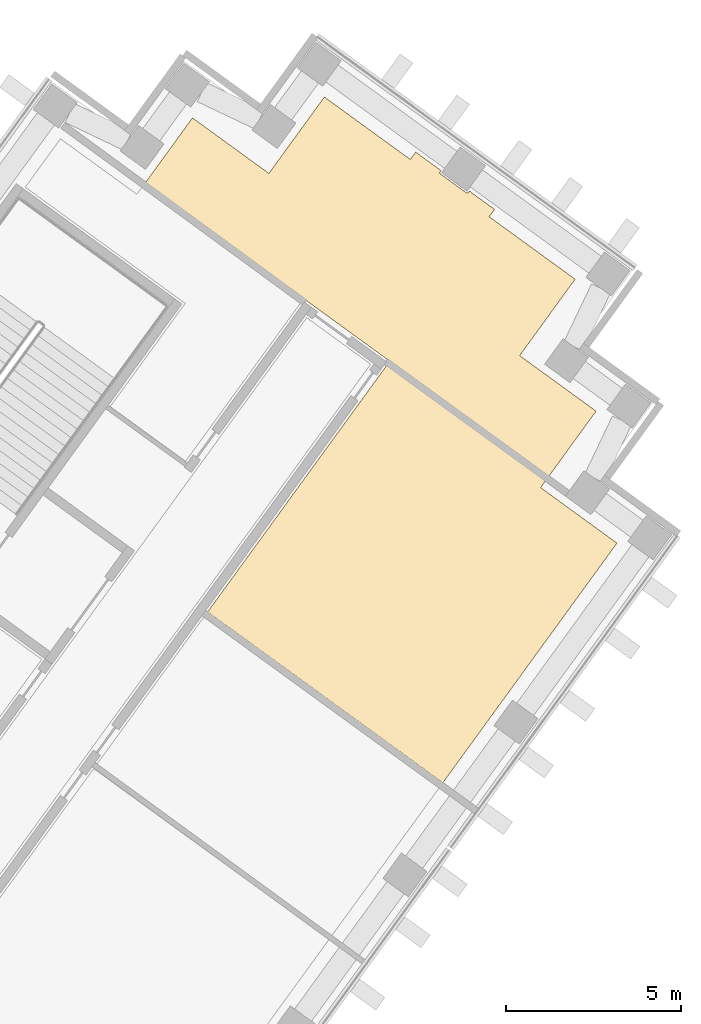
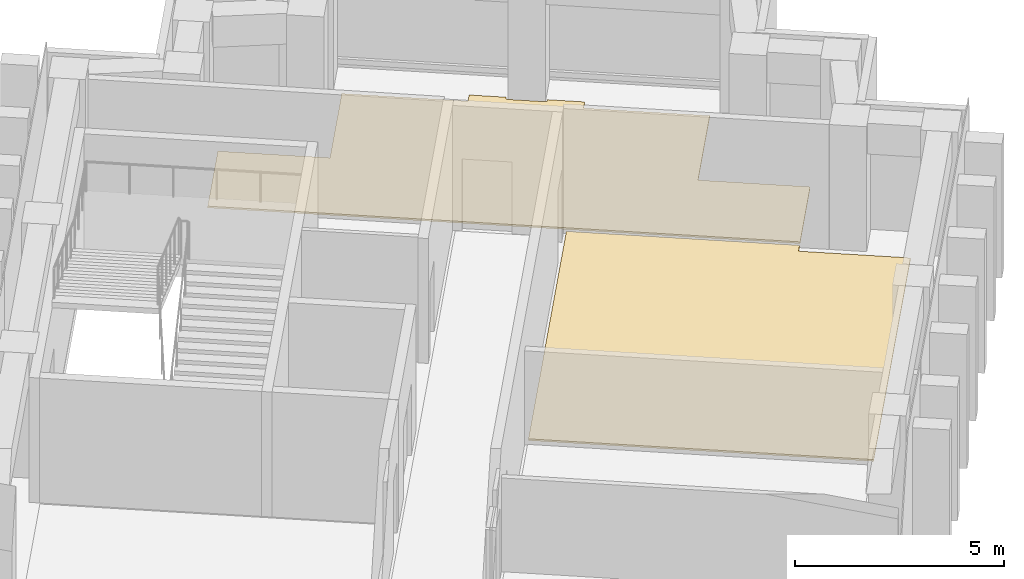
# One storey, part 17 of 17: 2 coverings.
"""IFC4 building model written with IfcOpenShell, lengths in metres."""

from ifc_helpers import new_model, si_unit, direction, frame, origin, place, context, subcontext, project, spatial, polyline, outline, extrude, material, layer, layer_set, type_object, element, save


model = new_model("IFC4")

# Units and contexts
model_context = context("Model", 3, precision=1e-05, world=origin(), true_north=direction((0.0, 1.0)))
body_context = subcontext(model_context, "Body", "Model", "MODEL_VIEW")
ifc_project = project(units=[si_unit("LENGTHUNIT", "METRE"), si_unit("AREAUNIT", "SQUARE_METRE"), si_unit("VOLUMEUNIT", "CUBIC_METRE"), si_unit("PLANEANGLEUNIT", "RADIAN"), si_unit("MASSUNIT", "GRAM", prefix="KILO")], contexts=[model_context])

# Site, building, storey
site_placement = place(None, origin())
site = spatial("IfcSite", under=ifc_project, at=site_placement, CompositionType="ELEMENT")
building_placement = place(site_placement, origin())
building = spatial("IfcBuilding", under=site, at=building_placement, Name="Quipu Civic Tower", CompositionType="ELEMENT")
storey_placement = place(building_placement, frame((0.0, 0.0, 43.0)))
storey = spatial("IfcBuildingStorey", under=building, at=storey_placement, Name="L09", CompositionType="ELEMENT", Elevation=43.0)

# Coverings
ifc_material = material(Name="Sealed cement screed")
ifc_layer = layer(ifc_material, 0.050048828125)
ifc_layer_set = layer_set([ifc_layer], Name="Sealed cement screed")
covering_type = type_object("IfcCoveringType", Name="Sealed screed floor finish 50", PredefinedType="FLOORING", material=ifc_layer_set)
covering_1_placement = place(storey_placement, origin())
element("IfcCovering", 1, at=covering_1_placement, inside=storey, type_object=covering_type, Name="Sealed screed floor finish 50", PredefinedType="FLOORING", context=body_context, shape_type="SweptSolid", body=[
    extrude(outline(polyline([(39.989013671875, 39.64208984375), (41.346923828125, 41.510986328125), (43.531982421875, 39.925048828125), (45.116943359375, 42.10791015625), (47.574951171875, 40.322021484375), (47.72900390625, 40.531982421875), (48.449951171875, 40.008056640625), (48.427001953125, 39.97705078125), (48.424072265625, 39.972900390625), (48.422119140625, 39.968017578125), (48.419921875, 39.964111328125), (48.4189453125, 39.958984375), (48.41796875, 39.9541015625), (48.4169921875, 39.948974609375), (48.4169921875, 39.944091796875), (48.41796875, 39.93994140625), (48.4189453125, 39.93505859375), (48.419921875, 39.929931640625), (48.422119140625, 39.926025390625), (48.425048828125, 39.9208984375), (48.427001953125, 39.9169921875), (48.430908203125, 39.9130859375), (48.43408203125, 39.909912109375), (48.43798828125, 39.906982421875), (49.166015625, 39.3779296875), (49.169921875, 39.375), (49.174072265625, 39.373046875), (49.178955078125, 39.37109375), (49.18408203125, 39.3701171875), (49.18896484375, 39.368896484375), (49.193115234375, 39.367919921875), (49.197998046875, 39.367919921875), (49.202880859375, 39.368896484375), (49.2080078125, 39.3701171875), (49.212890625, 39.37109375), (49.217041015625, 39.373046875), (49.220947265625, 39.3759765625), (49.22607421875, 39.3779296875), (49.22900390625, 39.382080078125), (49.23291015625, 39.385009765625), (49.236083984375, 39.388916015625), (49.259033203125, 39.4208984375), (49.97900390625, 38.89697265625), (49.826904296875, 38.68603515625), (52.284912109375, 36.90087890625), (50.698974609375, 34.717041015625), (52.883056640625, 33.1298828125), (51.52587890625, 31.260009765625), (39.989013671875, 39.64208984375)])), origin(), (0.0, 0.0, 1.0), 0.050048828125),
])
covering_2_placement = place(storey_placement, origin())
element("IfcCovering", 2, at=covering_2_placement, inside=storey, type_object=covering_type, Name="Sealed screed floor finish 50", PredefinedType="FLOORING", context=body_context, shape_type="SweptSolid", body=[
    extrude(outline(polyline([(41.781982421875, 27.39404296875), (46.904052734375, 34.444091796875), (51.443115234375, 31.14599609375), (51.298095703125, 30.943115234375), (53.47998046875, 29.35791015625), (48.5048828125, 22.510009765625), (41.781982421875, 27.39404296875)])), origin(), (0.0, 0.0, 1.0), 0.050048828125),
])

save(model, "model.ifc")
